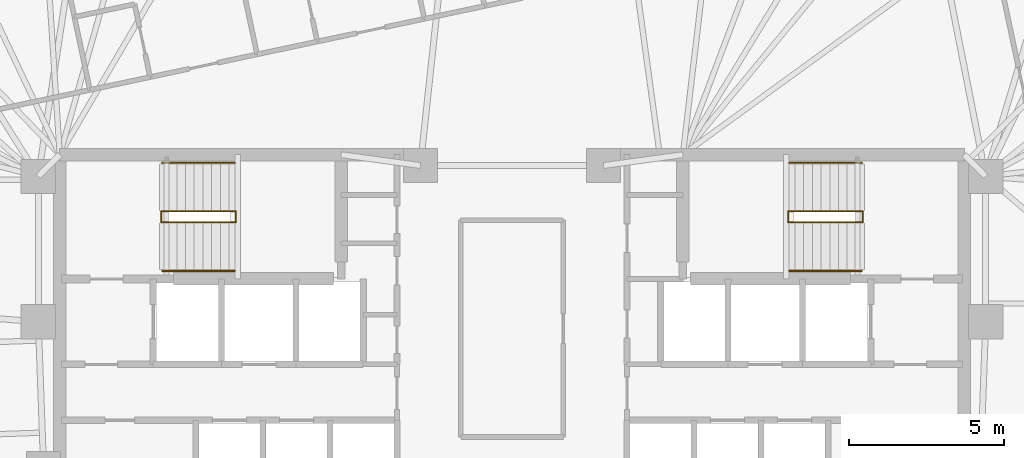
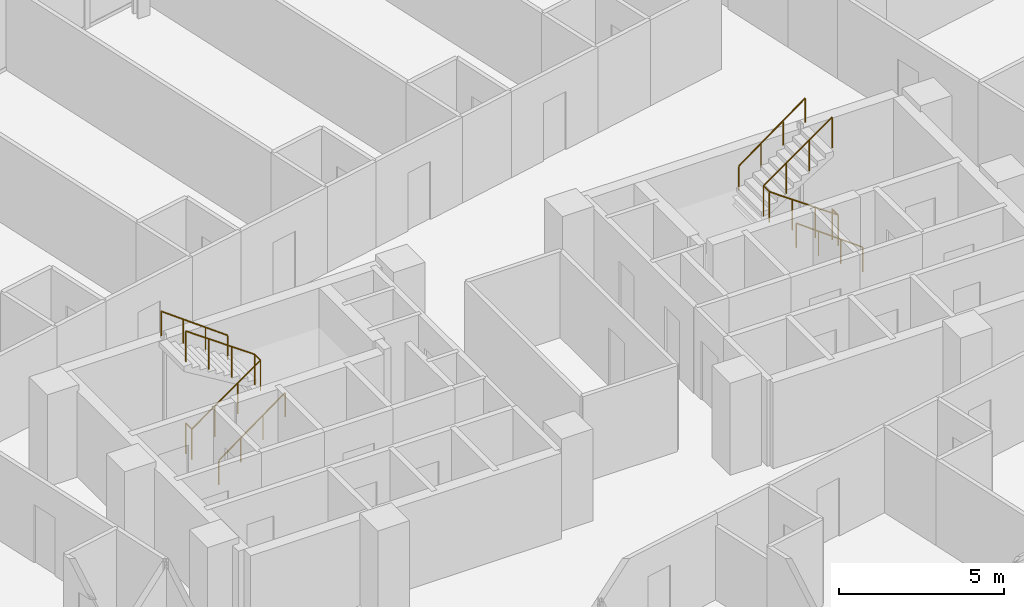
# One storey, part 20 of 20: 6 railings.
"""IFC4 building model written with IfcOpenShell, lengths in metres."""

import ifcopenshell
import ifcopenshell.guid

model = None  # the IFC model being written
_history = None  # IfcOwnerHistory: only IFC2X3 demands one
_inside = {}  # id of a spatial element -> (the spatial element, [elements in it])
_under = {}  # id of a project, library or spatial element -> (it, [spatial elements below it])
_declared = {}  # id of a project -> (the project, [libraries it declares])
_typed = {}  # id of a type object -> (the type object, [elements of that type])
_made_of = {}  # id of a material, layer set ... -> (it, [elements and type objects made of it])


def new_model(schema):
    """Start an empty IFC model of exactly this schema.

    Asked for "IFC4X3", IfcOpenShell would pick the latest addendum, in which some entities
    have other attributes; the version numbers below select the first issue.
    IFC2X3 requires an IfcOwnerHistory on every rooted entity: one is made here for all.
    """
    global model, _history
    if schema == "IFC4X3":
        model = ifcopenshell.file(schema_version=(4, 3, 0, 0))
    else:
        model = ifcopenshell.file(schema=schema)
    _inside.clear()
    _under.clear()
    _declared.clear()
    _typed.clear()
    _made_of.clear()
    _history = None
    if model.schema == "IFC2X3":
        org = make("IfcOrganization", Name="unknown")
        user = make(
            "IfcPersonAndOrganization",
            ThePerson=make("IfcPerson", FamilyName="unknown"),
            TheOrganization=org,
        )
        app = make(
            "IfcApplication",
            ApplicationDeveloper=org,
            Version="unknown",
            ApplicationFullName="unknown",
            ApplicationIdentifier="unknown",
        )
        _history = make(
            "IfcOwnerHistory",
            OwningUser=user,
            OwningApplication=app,
            ChangeAction="ADDED",
            CreationDate=0,
        )
    return model


def make(cls, **values):
    """One entity of the class cls with the attributes given. An attribute that is None is left unset."""
    return model.create_entity(
        cls, **{name: value for name, value in values.items() if value is not None}
    )


def rooted(cls, **values):
    """An entity with a GlobalId (a new one), such as an element, a storey or a relation."""
    return make(cls, GlobalId=ifcopenshell.guid.new(), OwnerHistory=_history, **values)


def si_unit(unit_type, name, prefix=None):
    """IfcSIUnit, for example si_unit("LENGTHUNIT", "METRE", prefix="MILLI")."""
    return make("IfcSIUnit", UnitType=unit_type, Prefix=prefix, Name=name)


def assignment(units):
    """IfcUnitAssignment: the units of a project."""
    return None if units is None else make("IfcUnitAssignment", Units=units)


def point(xyz):
    """IfcCartesianPoint."""
    return None if xyz is None else make("IfcCartesianPoint", Coordinates=xyz)


def direction(xyz):
    """IfcDirection."""
    return None if xyz is None else make("IfcDirection", DirectionRatios=xyz)


def frame(location, z_axis=None, x_axis=None):
    """IfcAxis2Placement3D, a coordinate frame: its origin and axes. An axis left out is left unset."""
    return make(
        "IfcAxis2Placement3D",
        Location=point(location),
        Axis=direction(z_axis),
        RefDirection=direction(x_axis),
    )


def frame_2d(location, x_axis=None):
    """IfcAxis2Placement2D, a coordinate frame in the plane: its origin and x axis."""
    return make(
        "IfcAxis2Placement2D", Location=point(location), RefDirection=direction(x_axis)
    )


def origin():
    """The frame at (0, 0, 0) with its axes left unset."""
    return frame((0.0, 0.0, 0.0))


def origin_2d():
    """The frame at (0, 0) in the plane with its x axis left unset."""
    return frame_2d((0.0, 0.0))


def place(relative_to, where):
    """IfcLocalPlacement: puts the frame where relative to a parent placement (None: the world)."""
    return make(
        "IfcLocalPlacement", PlacementRelTo=relative_to, RelativePlacement=where
    )


def context(
    kind, dimensions, precision=None, world=None, true_north=None, identifier=None
):
    """IfcGeometricRepresentationContext, for example the 3D "Model" context."""
    return make(
        "IfcGeometricRepresentationContext",
        ContextIdentifier=identifier,
        ContextType=kind,
        CoordinateSpaceDimension=dimensions,
        Precision=precision,
        WorldCoordinateSystem=world,
        TrueNorth=true_north,
    )


def subcontext(parent, identifier, kind, view, scale=None):
    """IfcGeometricRepresentationSubContext, for example "Body" below "Model"."""
    return make(
        "IfcGeometricRepresentationSubContext",
        ContextIdentifier=identifier,
        ContextType=kind,
        ParentContext=parent,
        TargetScale=scale,
        TargetView=view,
    )


def project(units=None, contexts=None):
    """IfcProject with its units and contexts."""
    return rooted(
        "IfcProject",
        Name="project",
        RepresentationContexts=contexts,
        UnitsInContext=assignment(units),
    )


def spatial(cls, under=None, at=None, **own):
    """A site, building, storey or space (cls), placed at a placement, below another one or the project."""
    s = rooted(cls, ObjectPlacement=at, **own)
    if under is not None:
        _under.setdefault(under.id(), (under, []))[1].append(s)
    return s


def profile(cls, at=None, kind="AREA", **sizes):
    """A parametric profile (cls). Its sizes go by their IFC names, for example OverallWidth=200.0."""
    return make(cls, ProfileType=kind, Position=at, **sizes)


def circle(**sizes):
    """IfcCircleProfileDef."""
    return profile("IfcCircleProfileDef", **sizes)


def extrude(swept, where, along, depth):
    """IfcExtrudedAreaSolid: the profile swept, set in the frame where, extruded along a direction by depth."""
    return make(
        "IfcExtrudedAreaSolid",
        SweptArea=swept,
        Position=where,
        ExtrudedDirection=direction(along),
        Depth=depth,
    )


def shape(context_of_items, identifier, shape_type, items):
    """IfcShapeRepresentation: the items that make up one representation, for example the "Body"."""
    return make(
        "IfcShapeRepresentation",
        ContextOfItems=context_of_items,
        RepresentationIdentifier=identifier,
        RepresentationType=shape_type,
        Items=items,
    )


def material(Name=None, Category=None):
    """IfcMaterial."""
    return make("IfcMaterial", Name=Name, Category=Category)


def made_of(thing, what):
    """Note that an element or type object is made of a material, layer set ...; save() writes the relation."""
    if what is not None:
        _made_of.setdefault(what.id(), (what, []))[1].append(thing)
    return thing


def type_object(cls, material=None, **own):
    """A type object (cls), such as IfcWallType, which elements share."""
    return made_of(rooted(cls, **own), material)


def element(
    cls,
    number,
    at=None,
    inside=None,
    cuts=None,
    type_object=None,
    material=None,
    context=None,
    identifier="Body",
    shape_type=None,
    held_by="IfcProductDefinitionShape",
    body=None,
    shapes=None,
    **own,
):
    """One element of the class cls, such as IfcWall. Its Tag is "e" and its number.

    at: its placement. inside: the storey or other place that contains it. cuts: it is an
    opening in that element (IfcRelVoidsElement). A single representation is given by context,
    identifier, shape_type and body (its items); several are given by shapes. held_by: the class
    of the entity that holds the representations. save() writes the other relations.
    """
    e = rooted(cls, Tag="e%d" % number, ObjectPlacement=at, **own)
    if body is not None:
        shapes = [shape(context, identifier, shape_type, body)]
    if shapes is not None:
        e.Representation = make(held_by, Representations=shapes)
    if inside is not None:
        _inside.setdefault(inside.id(), (inside, []))[1].append(e)
    if cuts is not None:
        rooted(
            "IfcRelVoidsElement", RelatingBuildingElement=cuts, RelatedOpeningElement=e
        )
    if type_object is not None:
        _typed.setdefault(type_object.id(), (type_object, []))[1].append(e)
    return made_of(e, material)


def aggregate(whole, parts):
    """IfcRelAggregates: a whole, such as a stair, and the parts it consists of."""
    return rooted("IfcRelAggregates", RelatingObject=whole, RelatedObjects=parts)


def save(model, path):
    """Write the relations noted so far, then the file.

    IfcRelAggregates (storeys below a building ...), IfcRelContainedInSpatialStructure (elements
    in a storey), IfcRelDefinesByType, IfcRelAssociatesMaterial and IfcRelDeclares: one each for
    every whole, place, type object, material and project.
    """
    for whole, parts in _under.values():
        aggregate(whole, parts)
    for where, things in _inside.values():
        rooted(
            "IfcRelContainedInSpatialStructure",
            RelatedElements=things,
            RelatingStructure=where,
        )
    for kind, things in _typed.values():
        rooted("IfcRelDefinesByType", RelatedObjects=things, RelatingType=kind)
    for what, things in _made_of.values():
        rooted("IfcRelAssociatesMaterial", RelatedObjects=things, RelatingMaterial=what)
    for by, libraries in _declared.values():
        rooted("IfcRelDeclares", RelatingContext=by, RelatedDefinitions=libraries)
    model.write(path)


model = new_model("IFC4")

# Units and contexts
model_context = context("Model", 3, precision=1e-05, world=origin(), true_north=direction((0.0, 1.0)))
body_context = subcontext(model_context, "Body", "Model", "MODEL_VIEW")
ifc_project = project(units=[si_unit("LENGTHUNIT", "METRE"), si_unit("AREAUNIT", "SQUARE_METRE"), si_unit("VOLUMEUNIT", "CUBIC_METRE"), si_unit("PLANEANGLEUNIT", "RADIAN"), si_unit("MASSUNIT", "GRAM", prefix="KILO")], contexts=[model_context])

# Site, building, storey
site_placement = place(None, origin())
site = spatial("IfcSite", under=ifc_project, at=site_placement, CompositionType="ELEMENT")
building_placement = place(site_placement, origin())
building = spatial("IfcBuilding", under=site, at=building_placement, Name="Menara Jurai Vektor", CompositionType="ELEMENT")
storey_placement = place(building_placement, frame((0.0, 0.0, 178.60009765625)))
storey = spatial("IfcBuildingStorey", under=building, at=storey_placement, Name="L46", CompositionType="ELEMENT", Elevation=178.60009765625)

# Railings
ifc_material_1 = material(Name="Painted Galvanised Steel Balustrade", Category="steel")
railing_type_1 = type_object("IfcRailingType", Name="RAIL-STAIR-GUARD", PredefinedType="GUARDRAIL", material=ifc_material_1)
railing_1_placement = place(storey_placement, frame((-11.2900390625, 3.780029296875, 0.0)))
element("IfcRailing", 1, at=railing_1_placement, inside=storey, type_object=railing_type_1, Name="ST1 Stair Guardrail 1 L46", PredefinedType="GUARDRAIL", context=body_context, shape_type="SweptSolid", body=[
    extrude(circle(Radius=0.02392578125, at=origin_2d()), frame((0.0, 0.0, 1.1259765625), z_axis=(0.0, -1.0, 0.0), x_axis=(1.0, 0.0, 0.0)), (0.0, 0.0, 1.0), 0.360107421875),
    extrude(circle(Radius=0.02392578125, at=origin_2d()), frame((0.0, -0.360107421875, 1.1259765625), z_axis=(0.816048950856, 0.0, 0.577982793694), x_axis=(0.0, 1.0, 0.0)), (0.0, 0.0, 1.0), 2.941162109375),
    extrude(circle(Radius=0.02392578125, at=origin_2d()), frame((2.400146484375, -0.360107421875, 2.82568359375), z_axis=(0.0, 1.0, 0.0), x_axis=(-1.0, 0.0, 0.0)), (0.0, 0.0, 1.0), 0.360107421875),
    extrude(circle(Radius=0.02392578125, at=origin_2d()), frame((2.400146484375, 0.0, 2.82568359375), z_axis=(-0.816048950856, 0.0, 0.577982793694), x_axis=(0.0, -1.0, 0.0)), (0.0, 0.0, 1.0), 2.941162109375),
    extrude(circle(Radius=0.02099609375, at=origin_2d()), origin(), (0.0, 0.0, 1.0), 1.101806640625),
    extrude(circle(Radius=0.02099609375, at=origin_2d()), frame((0.0, -0.360107421875, 0.0)), (0.0, 0.0, 1.0), 1.101806640625),
    extrude(circle(Radius=0.02099609375, at=origin_2d()), frame((0.800048828125, -0.360107421875, 0.566650390625)), (0.0, 0.0, 1.0), 1.101806640625),
    extrude(circle(Radius=0.02099609375, at=origin_2d()), frame((1.60009765625, -0.360107421875, 1.13330078125)), (0.0, 0.0, 1.0), 1.101806640625),
    extrude(circle(Radius=0.02099609375, at=origin_2d()), frame((2.400146484375, -0.360107421875, 1.699951171875)), (0.0, 0.0, 1.0), 1.101806640625),
    extrude(circle(Radius=0.02099609375, at=origin_2d()), frame((2.400146484375, 0.0, 1.699951171875)), (0.0, 0.0, 1.0), 1.101806640625),
    extrude(circle(Radius=0.02099609375, at=origin_2d()), frame((1.60009765625, 0.0, 2.2666015625)), (0.0, 0.0, 1.0), 1.101806640625),
    extrude(circle(Radius=0.02099609375, at=origin_2d()), frame((0.800048828125, 0.0, 2.833251953125)), (0.0, 0.0, 1.0), 1.101806640625),
    extrude(circle(Radius=0.02099609375, at=origin_2d()), frame((0.0, 0.0, 3.39990234375)), (0.0, 0.0, 1.0), 1.101806640625),
])
railing_2_placement = place(storey_placement, frame((11.2900390625, 3.780029296875, 0.0)))
element("IfcRailing", 2, at=railing_2_placement, inside=storey, type_object=railing_type_1, Name="ST2 Stair Guardrail 1 L46", PredefinedType="GUARDRAIL", context=body_context, shape_type="SweptSolid", body=[
    extrude(circle(Radius=0.02392578125, at=origin_2d()), frame((0.0, 0.0, 1.1259765625), z_axis=(0.0, -1.0, 0.0), x_axis=(1.0, 0.0, 0.0)), (0.0, 0.0, 1.0), 0.360107421875),
    extrude(circle(Radius=0.02392578125, at=origin_2d()), frame((0.0, -0.360107421875, 1.1259765625), z_axis=(-0.816048950856, 0.0, 0.577982793694), x_axis=(0.0, -1.0, 0.0)), (0.0, 0.0, 1.0), 2.941162109375),
    extrude(circle(Radius=0.02392578125, at=origin_2d()), frame((-2.400146484375, -0.360107421875, 2.82568359375), z_axis=(0.0, 1.0, 0.0), x_axis=(-1.0, 0.0, 0.0)), (0.0, 0.0, 1.0), 0.360107421875),
    extrude(circle(Radius=0.02392578125, at=origin_2d()), frame((-2.400146484375, 0.0, 2.82568359375), z_axis=(0.816048950856, 0.0, 0.577982793694), x_axis=(0.0, 1.0, 0.0)), (0.0, 0.0, 1.0), 2.941162109375),
    extrude(circle(Radius=0.02099609375, at=origin_2d()), origin(), (0.0, 0.0, 1.0), 1.101806640625),
    extrude(circle(Radius=0.02099609375, at=origin_2d()), frame((0.0, -0.360107421875, 0.0)), (0.0, 0.0, 1.0), 1.101806640625),
    extrude(circle(Radius=0.02099609375, at=origin_2d()), frame((-0.800048828125, -0.360107421875, 0.566650390625)), (0.0, 0.0, 1.0), 1.101806640625),
    extrude(circle(Radius=0.02099609375, at=origin_2d()), frame((-1.60009765625, -0.360107421875, 1.13330078125)), (0.0, 0.0, 1.0), 1.101806640625),
    extrude(circle(Radius=0.02099609375, at=origin_2d()), frame((-2.400146484375, -0.360107421875, 1.699951171875)), (0.0, 0.0, 1.0), 1.101806640625),
    extrude(circle(Radius=0.02099609375, at=origin_2d()), frame((-2.400146484375, 0.0, 1.699951171875)), (0.0, 0.0, 1.0), 1.101806640625),
    extrude(circle(Radius=0.02099609375, at=origin_2d()), frame((-1.60009765625, 0.0, 2.2666015625)), (0.0, 0.0, 1.0), 1.101806640625),
    extrude(circle(Radius=0.02099609375, at=origin_2d()), frame((-0.800048828125, 0.0, 2.833251953125)), (0.0, 0.0, 1.0), 1.101806640625),
    extrude(circle(Radius=0.02099609375, at=origin_2d()), frame((0.0, 0.0, 3.39990234375)), (0.0, 0.0, 1.0), 1.101806640625),
])
ifc_material_2 = material(Name="Brushed Stainless Steel Handrail", Category="steel")
railing_type_2 = type_object("IfcRailingType", Name="RAIL-STAIR-HAND", PredefinedType="HANDRAIL", material=ifc_material_2)
railing_3_placement = place(storey_placement, frame((-11.25, 1.860107421875, 0.0)))
element("IfcRailing", 3, at=railing_3_placement, inside=storey, type_object=railing_type_2, Name="ST1 Stair Handrail 1 L46", PredefinedType="HANDRAIL", context=body_context, shape_type="SweptSolid", body=[
    extrude(circle(Radius=0.02392578125, at=origin_2d()), frame((0.0, 0.0, 0.89599609375), z_axis=(0.806642406755, 0.0, 0.591039785145), x_axis=(0.0, 1.0, 0.0)), (0.0, 0.0, 1.0), 2.876220703125),
    extrude(circle(Radius=0.02099609375, at=origin_2d()), origin(), (0.0, 0.0, 1.0), 0.871826171875),
    extrude(circle(Radius=0.02099609375, at=origin_2d()), frame((0.7734375, 0.0, 0.566650390625)), (0.0, 0.0, 1.0), 0.871826171875),
    extrude(circle(Radius=0.02099609375, at=origin_2d()), frame((1.546630859375, 0.0, 1.13330078125)), (0.0, 0.0, 1.0), 0.871826171875),
    extrude(circle(Radius=0.02099609375, at=origin_2d()), frame((2.320068359375, 0.0, 1.699951171875)), (0.0, 0.0, 1.0), 0.871826171875),
])
for number, where, name in (
    (4, (-8.929931640625, 5.340087890625, 1.699951171875), "ST1 Stair Handrail 2 L46"),
    (5, (11.25, 1.860107421875, 0.0), "ST2 Stair Handrail 1 L46"),
):
    element("IfcRailing", number, at=place(storey_placement, frame(where)), inside=storey, type_object=railing_type_2, Name=name, PredefinedType="HANDRAIL", context=body_context, shape_type="SweptSolid", body=[
        extrude(circle(Radius=0.02392578125, at=origin_2d()), frame((0.0, 0.0, 0.89599609375), z_axis=(-0.806642406755, 0.0, 0.591039785145), x_axis=(0.0, -1.0, 0.0)), (0.0, 0.0, 1.0), 2.876220703125),
        extrude(circle(Radius=0.02099609375, at=origin_2d()), origin(), (0.0, 0.0, 1.0), 0.871826171875),
        extrude(circle(Radius=0.02099609375, at=origin_2d()), frame((-0.7734375, 0.0, 0.566650390625)), (0.0, 0.0, 1.0), 0.871826171875),
        extrude(circle(Radius=0.02099609375, at=origin_2d()), frame((-1.546630859375, 0.0, 1.13330078125)), (0.0, 0.0, 1.0), 0.871826171875),
        extrude(circle(Radius=0.02099609375, at=origin_2d()), frame((-2.320068359375, 0.0, 1.699951171875)), (0.0, 0.0, 1.0), 0.871826171875),
    ])
railing_4_placement = place(storey_placement, frame((8.929931640625, 5.340087890625, 1.699951171875)))
element("IfcRailing", 6, at=railing_4_placement, inside=storey, type_object=railing_type_2, Name="ST2 Stair Handrail 2 L46", PredefinedType="HANDRAIL", context=body_context, shape_type="SweptSolid", body=[
    extrude(circle(Radius=0.02392578125, at=origin_2d()), frame((0.0, 0.0, 0.89599609375), z_axis=(0.806642406755, 0.0, 0.591039785145), x_axis=(0.0, 1.0, 0.0)), (0.0, 0.0, 1.0), 2.876220703125),
    extrude(circle(Radius=0.02099609375, at=origin_2d()), origin(), (0.0, 0.0, 1.0), 0.871826171875),
    extrude(circle(Radius=0.02099609375, at=origin_2d()), frame((0.7734375, 0.0, 0.566650390625)), (0.0, 0.0, 1.0), 0.871826171875),
    extrude(circle(Radius=0.02099609375, at=origin_2d()), frame((1.546630859375, 0.0, 1.13330078125)), (0.0, 0.0, 1.0), 0.871826171875),
    extrude(circle(Radius=0.02099609375, at=origin_2d()), frame((2.320068359375, 0.0, 1.699951171875)), (0.0, 0.0, 1.0), 0.871826171875),
])

save(model, "model.ifc")
